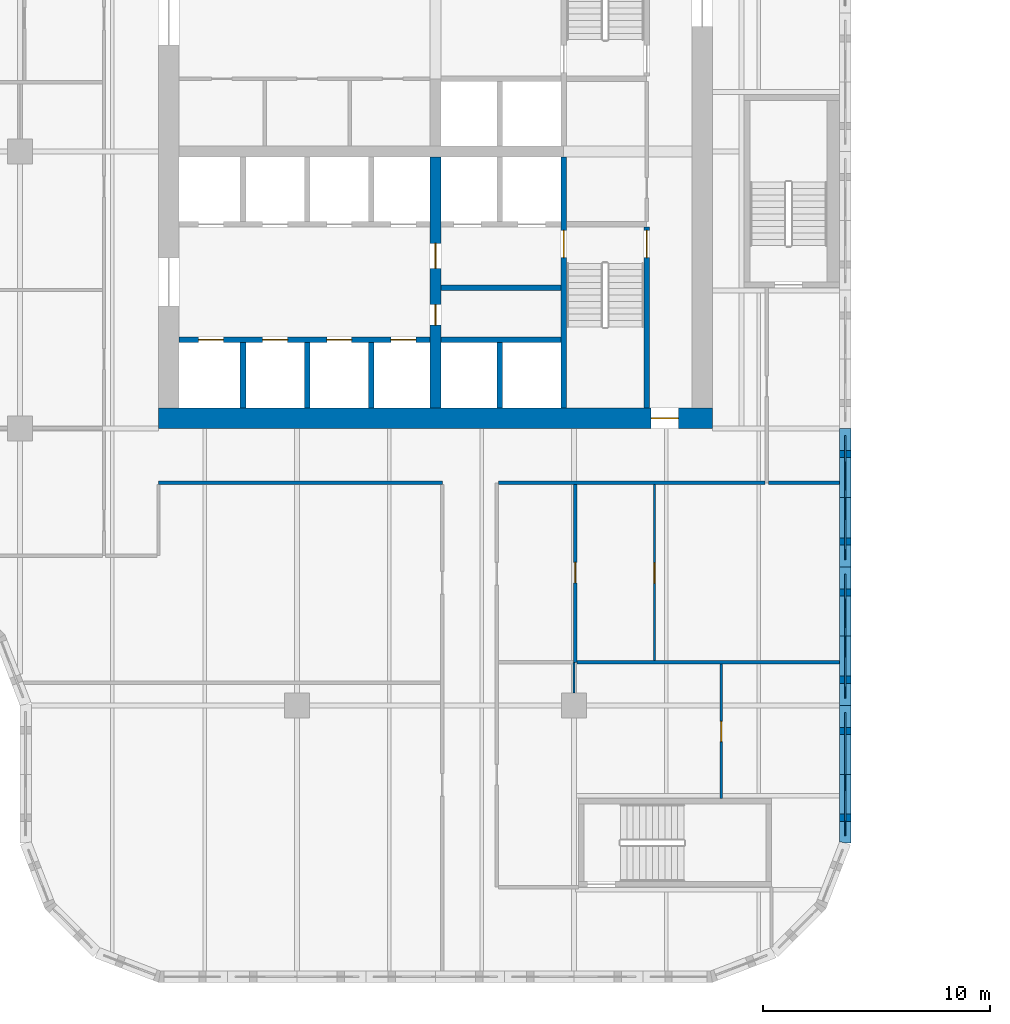
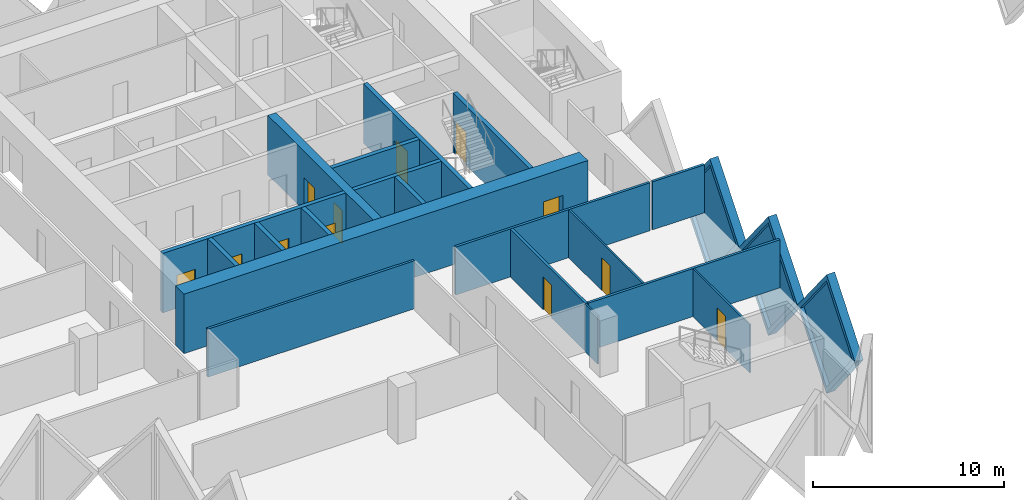
# One storey, part 6 of 18: 22 walls, 12 doors, 3 plates, 15 openings.
"""IFC4 building model written with IfcOpenShell, lengths in metres."""

from ifc_helpers import new_model, si_unit, direction, frame, frame_2d, origin, place, context, subcontext, project, spatial, polyline, rectangle, outline, extrude, faceted_brep, source, transform, mapped, material, layer, layer_set, type_object, element, fill, save


model = new_model("IFC4")

# Units and contexts
model_context = context("Model", 3, precision=1e-05, world=origin(), true_north=direction((0.0, 1.0)))
body_context = subcontext(model_context, "Body", "Model", "MODEL_VIEW")
ifc_project = project(units=[si_unit("LENGTHUNIT", "METRE"), si_unit("AREAUNIT", "SQUARE_METRE"), si_unit("VOLUMEUNIT", "CUBIC_METRE"), si_unit("PLANEANGLEUNIT", "RADIAN"), si_unit("MASSUNIT", "GRAM", prefix="KILO")], contexts=[model_context])

# Site, building, storey
site_placement = place(None, origin())
site = spatial("IfcSite", under=ifc_project, at=site_placement, CompositionType="ELEMENT")
building_placement = place(site_placement, origin())
building = spatial("IfcBuilding", under=site, at=building_placement, Name="Tessera Gate Towers", CompositionType="ELEMENT")
storey_placement = place(building_placement, frame((0.0, 0.0, 56.199951171875)))
storey = spatial("IfcBuildingStorey", under=building, at=storey_placement, Name="L13", CompositionType="ELEMENT", Elevation=56.199951171875)

# Wall, opening, door
ifc_material_1 = material(Name="Concrete C40/50", Category="concrete")
ifc_layer_1 = layer(ifc_material_1, 0.25)
ifc_layer_set_1 = layer_set([ifc_layer_1], Name="CORE ENCLOSURE WALL 250")
wall_type_1 = type_object("IfcWallType", Name="CORE ENCLOSURE WALL 250", PredefinedType="SOLIDWALL", material=ifc_layer_set_1)
wall_1_placement = place(storey_placement, frame((48.35009765625, 36.35009765625, 0.0), z_axis=(0.0, 0.0, 1.0), x_axis=(0.0, -1.0, 0.0)))
wall_1 = element("IfcWall", 1, at=wall_1_placement, inside=storey, type_object=wall_type_1, Name="L13 shaft and stair enclosure wall", PredefinedType="SOLIDWALL", context=body_context, shape_type="SweptSolid", body=[
    extrude(rectangle(XDim=11.050048828125, YDim=0.25, at=frame_2d((5.52490234375, 0.0))), origin(), (0.0, 0.0, 1.0), 3.800048828125),
])
shared_shape_1 = source(origin(), body_context, "Body", "SweptSolid", [
    extrude(rectangle(XDim=1.199951171875, YDim=2.10009765625, at=frame_2d((0.60009765625, 1.050048828125))), frame((0.0, 0.135009765625, 0.0), z_axis=(0.0, -1.0, 0.0), x_axis=(1.0, 0.0, 0.0)), (0.0, 0.0, 1.0), 0.27001953125),
])
opening_1_placement = place(wall_1_placement, frame((3.22509765625, 0.0, 0.0)))
opening_1 = element("IfcOpeningElement", 2, at=opening_1_placement, cuts=wall_1, Name="Opening SD-ST1-1", PredefinedType="OPENING", context=body_context, shape_type="MappedRepresentation", body=[
    mapped(shared_shape_1, transform((0.0, 0.0, 0.0), scale=1.0)),
])
ifc_material_2 = material(Name="Hollow steel fire door", Category="steel")
door_type_1 = type_object("IfcDoorType", Name="CORE DOOR SD 1200x2100", OperationType="NOTDEFINED", PredefinedType="DOOR", material=ifc_material_2)
shared_shape_2 = source(origin(), body_context, "Body", "SweptSolid", [
    extrude(rectangle(XDim=1.199951171875, YDim=2.10009765625, at=frame_2d((0.60009765625, 1.050048828125))), frame((0.0, 0.02490234375, 0.0), z_axis=(0.0, -1.0, 0.0), x_axis=(1.0, 0.0, 0.0)), (0.0, 0.0, 1.0), 0.050048828125),
])
door_1_placement = place(opening_1_placement, origin())
door_1 = element("IfcDoor", 3, at=door_1_placement, inside=storey, type_object=door_type_1, Name="Stair door", OperationType="SINGLE_SWING_LEFT", OverallHeight=2.10009765625, OverallWidth=1.199951171875, PredefinedType="DOOR", context=body_context, shape_type="MappedRepresentation", body=[
    mapped(shared_shape_2, transform((0.0, 0.0, 0.0), scale=1.0)),
])
fill(opening_1, door_1)

# Wall, openings, doors
wall_2_placement = place(storey_placement, frame((31.39990234375, 28.300048828125, 0.0), z_axis=(0.0, 0.0, 1.0), x_axis=(1.0, 0.0, 0.0)))
wall_2 = element("IfcWall", 4, at=wall_2_placement, inside=storey, type_object=wall_type_1, Name="L13 shaft and stair enclosure wall", PredefinedType="SOLIDWALL", context=body_context, shape_type="SweptSolid", body=[
    extrude(rectangle(XDim=11.050048828125, YDim=0.25, at=frame_2d((5.52490234375, 0.0))), origin(), (0.0, 0.0, 1.0), 3.800048828125),
])
shared_shape_3 = source(origin(), body_context, "Body", "SweptSolid", [
    extrude(rectangle(XDim=1.10009765625, YDim=2.10009765625, at=frame_2d((0.550048828125, 1.050048828125))), frame((0.0, 0.135009765625, 0.0), z_axis=(0.0, -1.0, 0.0), x_axis=(1.0, 0.0, 0.0)), (0.0, 0.0, 1.0), 0.27001953125),
])
opening_2_placement = place(wall_2_placement, frame((0.862548828125, 0.0, 0.0)))
opening_2 = element("IfcOpeningElement", 5, at=opening_2_placement, cuts=wall_2, Name="Opening LD-LR1", PredefinedType="OPENING", context=body_context, shape_type="MappedRepresentation", body=[
    mapped(shared_shape_3, transform((0.0, 0.0, 0.0), scale=1.0)),
])
opening_3_placement = place(wall_2_placement, frame((3.6875, 0.0, 0.0)))
opening_3 = element("IfcOpeningElement", 6, at=opening_3_placement, cuts=wall_2, Name="Opening LD-LR2", PredefinedType="OPENING", context=body_context, shape_type="MappedRepresentation", body=[
    mapped(shared_shape_3, transform((0.0, 0.0, 0.0), scale=1.0)),
])
opening_4_placement = place(wall_2_placement, frame((6.512451171875, 0.0, 0.0)))
opening_4 = element("IfcOpeningElement", 7, at=opening_4_placement, cuts=wall_2, Name="Opening LD-LR3", PredefinedType="OPENING", context=body_context, shape_type="MappedRepresentation", body=[
    mapped(shared_shape_3, transform((0.0, 0.0, 0.0), scale=1.0)),
])
opening_5_placement = place(wall_2_placement, frame((9.33740234375, 0.0, 0.0)))
opening_5 = element("IfcOpeningElement", 8, at=opening_5_placement, cuts=wall_2, Name="Opening LD-LR4", PredefinedType="OPENING", context=body_context, shape_type="MappedRepresentation", body=[
    mapped(shared_shape_3, transform((0.0, 0.0, 0.0), scale=1.0)),
])
ifc_material_3 = material(Name="Stainless steel", Category="steel")
door_type_2 = type_object("IfcDoorType", Name="CORE DOOR LD 1100x2100", OperationType="DOUBLE_DOOR_SLIDING", PredefinedType="DOOR", material=ifc_material_3)
shared_shape_4 = source(origin(), body_context, "Body", "SweptSolid", [
    extrude(rectangle(XDim=1.10009765625, YDim=2.10009765625, at=frame_2d((0.550048828125, 1.050048828125))), frame((0.0, 0.02490234375, 0.0), z_axis=(0.0, -1.0, 0.0), x_axis=(1.0, 0.0, 0.0)), (0.0, 0.0, 1.0), 0.050048828125),
])
door_2_placement = place(opening_2_placement, origin())
door_2 = element("IfcDoor", 9, at=door_2_placement, inside=storey, type_object=door_type_2, Name="Landing door LR1 L13", OperationType="DOUBLE_DOOR_SLIDING", OverallHeight=2.10009765625, OverallWidth=1.10009765625, PredefinedType="DOOR", context=body_context, shape_type="MappedRepresentation", body=[
    mapped(shared_shape_4, transform((0.0, 0.0, 0.0), scale=1.0)),
])
fill(opening_2, door_2)
door_3_placement = place(opening_3_placement, origin())
door_3 = element("IfcDoor", 10, at=door_3_placement, inside=storey, type_object=door_type_2, Name="Landing door LR2 L13", OperationType="DOUBLE_DOOR_SLIDING", OverallHeight=2.10009765625, OverallWidth=1.10009765625, PredefinedType="DOOR", context=body_context, shape_type="MappedRepresentation", body=[
    mapped(shared_shape_4, transform((0.0, 0.0, 0.0), scale=1.0)),
])
fill(opening_3, door_3)
door_4_placement = place(opening_4_placement, origin())
door_4 = element("IfcDoor", 11, at=door_4_placement, inside=storey, type_object=door_type_2, Name="Landing door LR3 L13", OperationType="DOUBLE_DOOR_SLIDING", OverallHeight=2.10009765625, OverallWidth=1.10009765625, PredefinedType="DOOR", context=body_context, shape_type="MappedRepresentation", body=[
    mapped(shared_shape_4, transform((0.0, 0.0, 0.0), scale=1.0)),
])
fill(opening_4, door_4)
door_5_placement = place(opening_5_placement, origin())
door_5 = element("IfcDoor", 12, at=door_5_placement, inside=storey, type_object=door_type_2, Name="Landing door LR4 L13", OperationType="DOUBLE_DOOR_SLIDING", OverallHeight=2.10009765625, OverallWidth=1.10009765625, PredefinedType="DOOR", context=body_context, shape_type="MappedRepresentation", body=[
    mapped(shared_shape_4, transform((0.0, 0.0, 0.0), scale=1.0)),
])
fill(opening_5, door_5)

# Wall
wall_3_placement = place(storey_placement, frame((42.949951171875, 28.300048828125, 0.0), z_axis=(0.0, 0.0, 1.0), x_axis=(1.0, 0.0, 0.0)))
element("IfcWall", 13, at=wall_3_placement, inside=storey, type_object=wall_type_1, Name="L13 shaft and stair enclosure wall", PredefinedType="SOLIDWALL", context=body_context, shape_type="SweptSolid", body=[
    extrude(rectangle(XDim=5.275146484375, YDim=0.25, at=frame_2d((2.6376953125, 0.0))), origin(), (0.0, 0.0, 1.0), 3.800048828125),
])

# Wall, opening, door
wall_4_placement = place(storey_placement, frame((52.0, 25.300048828125, 0.0), z_axis=(0.0, 0.0, 1.0), x_axis=(0.0, 1.0, 0.0)))
wall_4 = element("IfcWall", 14, at=wall_4_placement, inside=storey, type_object=wall_type_1, Name="L13 shaft and stair enclosure wall", PredefinedType="SOLIDWALL", context=body_context, shape_type="SweptSolid", body=[
    extrude(rectangle(XDim=7.974853515625, YDim=0.25, at=frame_2d((3.9873046875, 0.0))), origin(), (0.0, 0.0, 1.0), 3.800048828125),
])
opening_6_placement = place(wall_4_placement, frame((6.625, 0.0, 0.0)))
opening_6 = element("IfcOpeningElement", 15, at=opening_6_placement, cuts=wall_4, Name="Opening SD-ST1-2", PredefinedType="OPENING", context=body_context, shape_type="MappedRepresentation", body=[
    mapped(shared_shape_1, transform((0.0, 0.0, 0.0), scale=1.0)),
])
door_6_placement = place(opening_6_placement, origin())
door_6 = element("IfcDoor", 16, at=door_6_placement, inside=storey, type_object=door_type_1, Name="Stair door", OperationType="SINGLE_SWING_RIGHT", OverallHeight=2.10009765625, OverallWidth=1.199951171875, PredefinedType="DOOR", context=body_context, shape_type="MappedRepresentation", body=[
    mapped(shared_shape_2, transform((0.0, 0.0, 0.0), scale=1.0)),
])
fill(opening_6, door_6)

# Walls
wall_5_placement = place(storey_placement, frame((42.949951171875, 30.60009765625, 0.0), z_axis=(0.0, 0.0, 1.0), x_axis=(1.0, 0.0, 0.0)))
element("IfcWall", 17, at=wall_5_placement, inside=storey, type_object=wall_type_1, Name="L13 shaft and stair enclosure wall", PredefinedType="SOLIDWALL", context=body_context, shape_type="SweptSolid", body=[
    extrude(rectangle(XDim=5.275146484375, YDim=0.25, at=frame_2d((2.6376953125, 0.0))), origin(), (0.0, 0.0, 1.0), 3.800048828125),
])
for number, where, z_axis, x_axis, name in (
    (18, (34.22509765625, 25.300048828125, 0.0), (0.0, 0.0, 1.0), (0.0, 1.0, 0.0), "L13 shaft and stair enclosure wall"),
    (19, (37.050048828125, 25.300048828125, 0.0), (0.0, 0.0, 1.0), (0.0, 1.0, 0.0), "L13 shaft and stair enclosure wall"),
    (20, (39.875, 25.300048828125, 0.0), (0.0, 0.0, 1.0), (0.0, 1.0, 0.0), "L13 shaft and stair enclosure wall"),
    (21, (45.52490234375, 25.300048828125, 0.0), (0.0, 0.0, 1.0), (0.0, 1.0, 0.0), "L13 shaft and stair enclosure wall"),
):
    element("IfcWall", number, at=place(storey_placement, frame(where, z_axis=z_axis, x_axis=x_axis)), inside=storey, type_object=wall_type_1, Name=name, PredefinedType="SOLIDWALL", context=body_context, shape_type="SweptSolid", body=[
        extrude(rectangle(XDim=2.875, YDim=0.25, at=frame_2d((1.4375, 0.0))), origin(), (0.0, 0.0, 1.0), 3.800048828125),
    ])

# Wall, opening, door
ifc_material_4 = material(Name="Concrete C70/85", Category="concrete")
ifc_layer_2 = layer(ifc_material_4, 0.89990234375)
ifc_layer_set_2 = layer_set([ifc_layer_2], Name="CORE SHEAR WALL 900 C70/85")
wall_type_2 = type_object("IfcWallType", Name="CORE SHEAR WALL 900 C70/85", PredefinedType="SHEAR", material=ifc_layer_set_2)
wall_6_placement = place(storey_placement, frame((54.89990234375, 24.85009765625, 0.0), z_axis=(0.0, 0.0, 1.0), x_axis=(-1.0, 0.0, 0.0)))
wall_6 = element("IfcWall", 22, at=wall_6_placement, inside=storey, type_object=wall_type_2, Name="Core wall S L13", PredefinedType="SHEAR", context=body_context, shape_type="SweptSolid", body=[
    extrude(rectangle(XDim=24.39990234375, YDim=0.89990234375, at=frame_2d((12.199951171875, 0.0))), origin(), (0.0, 0.0, 1.0), 3.800048828125),
])
shared_shape_5 = source(origin(), body_context, "Body", "SweptSolid", [
    extrude(rectangle(XDim=1.199951171875, YDim=2.10009765625, at=frame_2d((0.60009765625, 1.050048828125))), frame((0.0, 0.4599609375, 0.0), z_axis=(0.0, -1.0, 0.0), x_axis=(1.0, 0.0, 0.0)), (0.0, 0.0, 1.0), 0.919921875),
])
opening_7_placement = place(wall_6_placement, frame((1.5, 0.0, 0.0)))
opening_7 = element("IfcOpeningElement", 23, at=opening_7_placement, cuts=wall_6, Name="Opening ED-T1-09-01", PredefinedType="OPENING", context=body_context, shape_type="MappedRepresentation", body=[
    mapped(shared_shape_5, transform((0.0, 0.0, 0.0), scale=1.0)),
])
ifc_material_5 = material(Name="Hollow steel fire door", Category="steel")
door_type_3 = type_object("IfcDoorType", Name="CORE DOOR ED 1200x2100", OperationType="NOTDEFINED", PredefinedType="DOOR", material=ifc_material_5)
door_7_placement = place(opening_7_placement, origin())
door_7 = element("IfcDoor", 24, at=door_7_placement, inside=storey, type_object=door_type_3, Name="Core exit door", OperationType="SINGLE_SWING_LEFT", OverallHeight=2.10009765625, OverallWidth=1.199951171875, PredefinedType="DOOR", context=body_context, shape_type="MappedRepresentation", body=[
    mapped(shared_shape_2, transform((0.0, 0.0, 0.0), scale=1.0)),
])
fill(opening_7, door_7)

# Wall, openings, doors
ifc_material_6 = material(Name="Concrete C70/85", Category="concrete")
ifc_layer_3 = layer(ifc_material_6, 0.5)
ifc_layer_set_3 = layer_set([ifc_layer_3], Name="CORE SPINE WALL 500 C70/85")
wall_type_3 = type_object("IfcWallType", Name="CORE SPINE WALL 500 C70/85", PredefinedType="SHEAR", material=ifc_layer_set_3)
wall_7_placement = place(storey_placement, frame((42.699951171875, 36.35009765625, 0.0), z_axis=(0.0, 0.0, 1.0), x_axis=(0.0, -1.0, 0.0)))
wall_7 = element("IfcWall", 25, at=wall_7_placement, inside=storey, type_object=wall_type_3, Name="Core wall spine L13", PredefinedType="SHEAR", context=body_context, shape_type="SweptSolid", body=[
    extrude(rectangle(XDim=11.050048828125, YDim=0.5, at=frame_2d((5.52490234375, 0.0))), origin(), (0.0, 0.0, 1.0), 3.800048828125),
])
shared_shape_6 = source(origin(), body_context, "Body", "SweptSolid", [
    extrude(rectangle(XDim=0.89990234375, YDim=2.10009765625, at=frame_2d((0.449951171875, 1.050048828125))), frame((0.0, 0.260009765625, 0.0), z_axis=(0.0, -1.0, 0.0), x_axis=(1.0, 0.0, 0.0)), (0.0, 0.0, 1.0), 0.52001953125),
])
opening_8_placement = place(wall_7_placement, frame((6.5, 0.0, 0.0)))
opening_8 = element("IfcOpeningElement", 26, at=opening_8_placement, cuts=wall_7, Name="Opening RD-T1-09-05", PredefinedType="OPENING", context=body_context, shape_type="MappedRepresentation", body=[
    mapped(shared_shape_6, transform((0.0, 0.0, 0.0), scale=1.0)),
])
shared_shape_7 = source(origin(), body_context, "Body", "SweptSolid", [
    extrude(rectangle(XDim=1.10009765625, YDim=2.10009765625, at=frame_2d((0.550048828125, 1.050048828125))), frame((0.0, 0.260009765625, 0.0), z_axis=(0.0, -1.0, 0.0), x_axis=(1.0, 0.0, 0.0)), (0.0, 0.0, 1.0), 0.52001953125),
])
opening_9_placement = place(wall_7_placement, frame((3.800048828125, 0.0, 0.0)))
opening_9 = element("IfcOpeningElement", 27, at=opening_9_placement, cuts=wall_7, Name="Opening FD-T1-09-06", PredefinedType="OPENING", context=body_context, shape_type="MappedRepresentation", body=[
    mapped(shared_shape_7, transform((0.0, 0.0, 0.0), scale=1.0)),
])
ifc_material_7 = material(Name="Hollow steel fire door", Category="steel")
door_type_4 = type_object("IfcDoorType", Name="CORE DOOR RD 900x2100", OperationType="NOTDEFINED", PredefinedType="DOOR", material=ifc_material_7)
shared_shape_8 = source(origin(), body_context, "Body", "SweptSolid", [
    extrude(rectangle(XDim=0.89990234375, YDim=2.10009765625, at=frame_2d((0.449951171875, 1.050048828125))), frame((0.0, 0.02490234375, 0.0), z_axis=(0.0, -1.0, 0.0), x_axis=(1.0, 0.0, 0.0)), (0.0, 0.0, 1.0), 0.050048828125),
])
door_8_placement = place(opening_8_placement, origin())
door_8 = element("IfcDoor", 28, at=door_8_placement, inside=storey, type_object=door_type_4, Name="Core room door", OperationType="SINGLE_SWING_RIGHT", OverallHeight=2.10009765625, OverallWidth=0.89990234375, PredefinedType="DOOR", context=body_context, shape_type="MappedRepresentation", body=[
    mapped(shared_shape_8, transform((0.0, 0.0, 0.0), scale=1.0)),
])
fill(opening_8, door_8)
ifc_material_8 = material(Name="Hollow steel fire door", Category="steel")
door_type_5 = type_object("IfcDoorType", Name="CORE DOOR FD 1100x2100", OperationType="NOTDEFINED", PredefinedType="DOOR", material=ifc_material_8)
door_9_placement = place(opening_9_placement, origin())
door_9 = element("IfcDoor", 29, at=door_9_placement, inside=storey, type_object=door_type_5, Name="Fire-fighting lobby door", OperationType="SINGLE_SWING_LEFT", OverallHeight=2.10009765625, OverallWidth=1.10009765625, PredefinedType="DOOR", context=body_context, shape_type="MappedRepresentation", body=[
    mapped(shared_shape_4, transform((0.0, 0.0, 0.0), scale=1.0)),
])
fill(opening_9, door_9)

# Walls
ifc_material_9 = material(Name="Gypsum board on steel studs, mineral wool", Category="steel")
ifc_layer_4 = layer(ifc_material_9, 0.14990234375)
ifc_layer_set_4 = layer_set([ifc_layer_4], Name="CORRIDOR WALL 150")
wall_type_4 = type_object("IfcWallType", Name="CORRIDOR WALL 150", PredefinedType="PARTITIONING", material=ifc_layer_set_4)
wall_8_placement = place(storey_placement, frame((30.5, 22.0, 0.0), z_axis=(0.0, 0.0, 1.0), x_axis=(1.0, 0.0, 0.0)))
element("IfcWall", 30, at=wall_8_placement, inside=storey, type_object=wall_type_4, Name="T1-L13-PW-017", PredefinedType="PARTITIONING", context=body_context, shape_type="SweptSolid", body=[
    extrude(rectangle(XDim=12.5, YDim=0.14990234375, at=frame_2d((6.25, 0.0))), origin(), (0.0, 0.0, 1.0), 3.067138671875),
])
wall_9_placement = place(storey_placement, frame((45.47607421875, 22.0, 0.0), z_axis=(0.0, 0.0, 1.0), x_axis=(1.0, 0.0, 0.0)))
element("IfcWall", 31, at=wall_9_placement, inside=storey, type_object=wall_type_4, Name="T1-L13-PW-018", PredefinedType="PARTITIONING", context=body_context, shape_type="SweptSolid", body=[
    extrude(rectangle(XDim=11.748046875, YDim=0.14990234375, at=frame_2d((5.8740234375, 0.0))), origin(), (0.0, 0.0, 1.0), 3.067138671875),
])

# Wall, opening, door
ifc_material_10 = material(Name="Glass", Category="glass")
ifc_layer_5 = layer(ifc_material_10, 0.10009765625)
ifc_layer_set_5 = layer_set([ifc_layer_5], Name="GLAZED PARTITION 100")
wall_type_5 = type_object("IfcWallType", Name="GLAZED PARTITION 100", PredefinedType="PARTITIONING", material=ifc_layer_set_5)
wall_10_placement = place(storey_placement, frame((55.2900390625, 14.02392578125, 0.0), z_axis=(0.0, 0.0, 1.0), x_axis=(0.0, -1.0, 0.0)))
wall_10 = element("IfcWall", 32, at=wall_10_placement, inside=storey, type_object=wall_type_5, Name="T1-L13-PW-005", PredefinedType="PARTITIONING", context=body_context, shape_type="SweptSolid", body=[
    extrude(rectangle(XDim=5.923828125, YDim=0.10009765625, at=frame_2d((2.9619140625, 0.0))), origin(), (0.0, 0.0, 1.0), 3.067138671875),
])
shared_shape_9 = source(origin(), body_context, "Body", "SweptSolid", [
    extrude(rectangle(XDim=0.89990234375, YDim=2.10009765625, at=frame_2d((0.449951171875, 1.050048828125))), frame((0.0, 0.06005859375, 0.0), z_axis=(0.0, -1.0, 0.0), x_axis=(1.0, 0.0, 0.0)), (0.0, 0.0, 1.0), 0.1201171875),
])
opening_10_placement = place(wall_10_placement, frame((2.52392578125, 0.0, 0.0)))
opening_10 = element("IfcOpeningElement", 33, at=opening_10_placement, cuts=wall_10, Name="Opening D690-A05-02", PredefinedType="OPENING", context=body_context, shape_type="MappedRepresentation", body=[
    mapped(shared_shape_9, transform((0.0, 0.0, 0.0), scale=1.0)),
])
ifc_material_11 = material(Name="Glass in aluminium frame", Category="aluminium")
door_type_6 = type_object("IfcDoorType", Name="GLAZED DOOR 900 NOT RATED", OperationType="NOTDEFINED", PredefinedType="DOOR", material=ifc_material_11)
door_10_placement = place(opening_10_placement, origin())
door_10 = element("IfcDoor", 34, at=door_10_placement, inside=storey, type_object=door_type_6, Name="T1-L13-PD-013", OperationType="SINGLE_SWING_RIGHT", OverallHeight=2.10009765625, OverallWidth=0.89990234375, PredefinedType="DOOR", context=body_context, shape_type="MappedRepresentation", body=[
    mapped(shared_shape_8, transform((0.0, 0.0, 0.0), scale=1.0)),
])
fill(opening_10, door_10)

# Wall
ifc_material_12 = material(Name="Gypsum board on steel studs", Category="steel")
ifc_layer_6 = layer(ifc_material_12, 0.10009765625)
ifc_layer_set_6 = layer_set([ifc_layer_6], Name="PARTITION 100")
wall_type_6 = type_object("IfcWallType", Name="PARTITION 100", PredefinedType="PARTITIONING", material=ifc_layer_set_6)
wall_11_placement = place(storey_placement, frame((48.800048828125, 12.75, 0.0), z_axis=(0.0, 0.0, 1.0), x_axis=(0.0, 1.0, 0.0)))
element("IfcWall", 35, at=wall_11_placement, inside=storey, type_object=wall_type_6, Name="T1-L13-PW-006", PredefinedType="PARTITIONING", context=body_context, shape_type="SweptSolid", body=[
    extrude(rectangle(XDim=1.35009765625, YDim=0.10009765625, at=frame_2d((0.675048828125, 0.0))), origin(), (0.0, 0.0, 1.0), 3.067138671875),
])

# Wall, opening, door
wall_12_placement = place(storey_placement, frame((52.35009765625, 21.924072265625, 0.0), z_axis=(0.0, 0.0, 1.0), x_axis=(0.0, -1.0, 0.0)))
wall_12 = element("IfcWall", 36, at=wall_12_placement, inside=storey, type_object=wall_type_6, Name="T1-L13-PW-011", PredefinedType="PARTITIONING", context=body_context, shape_type="SweptSolid", body=[
    extrude(rectangle(XDim=7.748046875, YDim=0.10009765625, at=frame_2d((3.8740234375, 0.0))), origin(), (0.0, 0.0, 1.0), 3.067138671875),
])
opening_11_placement = place(wall_12_placement, frame((3.447998046875, 0.0, 0.0)))
opening_11 = element("IfcOpeningElement", 37, at=opening_11_placement, cuts=wall_12, Name="Opening D190-A05-11", PredefinedType="OPENING", context=body_context, shape_type="MappedRepresentation", body=[
    mapped(shared_shape_9, transform((0.0, 0.0, 0.0), scale=1.0)),
])
ifc_material_13 = material(Name="Timber door leaf in steel frame", Category="steel")
door_type_7 = type_object("IfcDoorType", Name="INTERNAL DOOR 900 NOT RATED", OperationType="NOTDEFINED", PredefinedType="DOOR", material=ifc_material_13)
door_11_placement = place(opening_11_placement, origin())
door_11 = element("IfcDoor", 38, at=door_11_placement, inside=storey, type_object=door_type_7, Name="T1-L13-PD-017", OperationType="SINGLE_SWING_RIGHT", OverallHeight=2.10009765625, OverallWidth=0.89990234375, PredefinedType="DOOR", context=body_context, shape_type="MappedRepresentation", body=[
    mapped(shared_shape_8, transform((0.0, 0.0, 0.0), scale=1.0)),
])
fill(opening_11, door_11)

ifc_material_14 = material(Name="Gypsum board on steel studs, mineral wool", Category="steel")
ifc_layer_7 = layer(ifc_material_14, 0.14990234375)
ifc_layer_set_7 = layer_set([ifc_layer_7], Name="TENANCY WALL 150")
wall_type_7 = type_object("IfcWallType", Name="TENANCY WALL 150", PredefinedType="PARTITIONING", material=ifc_layer_set_7)
wall_13_placement = place(storey_placement, frame((48.85009765625, 21.924072265625, 0.0), z_axis=(0.0, 0.0, 1.0), x_axis=(0.0, -1.0, 0.0)))
wall_13 = element("IfcWall", 39, at=wall_13_placement, inside=storey, type_object=wall_type_7, Name="T1-L13-PW-009", PredefinedType="PARTITIONING", context=body_context, shape_type="SweptSolid", body=[
    extrude(rectangle(XDim=7.823974609375, YDim=0.14990234375, at=frame_2d((3.912109375, 0.0))), origin(), (0.0, 0.0, 1.0), 3.067138671875),
])
shared_shape_10 = source(origin(), body_context, "Body", "SweptSolid", [
    extrude(rectangle(XDim=0.89990234375, YDim=2.10009765625, at=frame_2d((0.449951171875, 1.050048828125))), frame((0.0, 0.0849609375, 0.0), z_axis=(0.0, -1.0, 0.0), x_axis=(1.0, 0.0, 0.0)), (0.0, 0.0, 1.0), 0.169921875),
])
opening_12_placement = place(wall_13_placement, frame((3.424072265625, 0.0, 0.0)))
opening_12 = element("IfcOpeningElement", 40, at=opening_12_placement, cuts=wall_13, Name="Opening D190-A05-12", PredefinedType="OPENING", context=body_context, shape_type="MappedRepresentation", body=[
    mapped(shared_shape_10, transform((0.0, 0.0, 0.0), scale=1.0)),
])
door_12_placement = place(opening_12_placement, origin())
door_12 = element("IfcDoor", 41, at=door_12_placement, inside=storey, type_object=door_type_7, Name="T1-L13-PD-018", OperationType="SINGLE_SWING_RIGHT", OverallHeight=2.10009765625, OverallWidth=0.89990234375, PredefinedType="DOOR", context=body_context, shape_type="MappedRepresentation", body=[
    mapped(shared_shape_8, transform((0.0, 0.0, 0.0), scale=1.0)),
])
fill(opening_12, door_12)

# Walls
wall_14_placement = place(storey_placement, frame((48.926025390625, 14.10009765625, 0.0), z_axis=(0.0, 0.0, 1.0), x_axis=(1.0, 0.0, 0.0)))
element("IfcWall", 42, at=wall_14_placement, inside=storey, type_object=wall_type_7, Name="T1-L13-PW-010", PredefinedType="PARTITIONING", context=body_context, shape_type="SweptSolid", body=[
    extrude(rectangle(XDim=11.573974609375, YDim=0.14990234375, at=frame_2d((5.787109375, 0.0))), origin(), (0.0, 0.0, 1.0), 3.067138671875),
])
wall_15_placement = place(storey_placement, frame((57.3759765625, 22.0, 0.0), z_axis=(0.0, 0.0, 1.0), x_axis=(1.0, 0.0, 0.0)))
element("IfcWall", 43, at=wall_15_placement, inside=storey, type_object=wall_type_7, Name="T1-L13-PW-020", PredefinedType="PARTITIONING", context=body_context, shape_type="SweptSolid", body=[
    extrude(rectangle(XDim=3.1240234375, YDim=0.14990234375, at=frame_2d((1.56201171875, 0.0))), origin(), (0.0, 0.0, 1.0), 3.067138671875),
])

# Wall, opening, plate
ifc_material_15 = material(Name="Precast concrete C60/75 white", Category="concrete")
ifc_layer_8 = layer(ifc_material_15, 0.5)
ifc_layer_set_8 = layer_set([ifc_layer_8], Name="TS1 tessera")
wall_type_8 = type_object("IfcWallType", Name="TS1 tessera", PredefinedType="SOLIDWALL", material=ifc_layer_set_8)
shared_shape_11 = source(origin(), body_context, "Body", "Brep", [
    faceted_brep([(3.00341796875, -0.25, 0.0), (6.053466796875, -0.25, 3.800048828125), (3.00341796875, -0.25, 7.60009765625), (0.0, -0.25, 3.800048828125), (0.046630859375, 0.25, 3.85888671875), (3.00341796875, 0.25, 7.60009765625), (6.053466796875, 0.25, 3.800048828125), (3.00341796875, 0.25, 0.0), (0.046630859375, 0.25, 3.7412109375), (0.0, 0.0, 3.800048828125)], [[[0, 1, 2, 3]], [[4, 5, 6, 7, 8]], [[7, 6, 1, 0]], [[6, 5, 2, 1]], [[5, 4, 9, 3, 2]], [[8, 7, 0, 3, 9]], [[8, 9, 4]]]),
])
wall_16_placement = place(storey_placement, frame((60.75, 6.146484375, -3.800048828125), z_axis=(0.0, 0.0, 1.0), x_axis=(0.0, 1.0, 0.0)))
wall_16 = element("IfcWall", 44, at=wall_16_placement, inside=storey, type_object=wall_type_8, Name="Precast tessera T1 TS1-0187", PredefinedType="SOLIDWALL", context=body_context, shape_type="MappedRepresentation", body=[
    mapped(shared_shape_11, transform((0.0, 0.0, 0.0), scale=1.0)),
])
shared_shape_12 = source(origin(), body_context, "Body", "SweptSolid", [
    extrude(outline(polyline([(3.0048828125, 0.4013671875), (5.73291015625, 3.800048828125), (3.0048828125, 7.19873046875), (0.318603515625, 3.800048828125), (3.0048828125, 0.4013671875)])), frame((0.0, 0.260009765625, 0.0), z_axis=(0.0, -1.0, 0.0), x_axis=(1.0, 0.0, 0.0)), (0.0, 0.0, 1.0), 0.52001953125),
])
opening_13_placement = place(wall_16_placement, origin())
opening_13 = element("IfcOpeningElement", 45, at=opening_13_placement, cuts=wall_16, Name="Opening T1-PL2-0385", PredefinedType="OPENING", context=body_context, shape_type="MappedRepresentation", body=[
    mapped(shared_shape_12, transform((0.0, 0.0, 0.0), scale=1.0)),
])
ifc_material_16 = material(Name="Low-e laminated glass", Category="glass")
ifc_layer_9 = layer(ifc_material_16, 0.06005859375)
ifc_layer_set_9 = layer_set([ifc_layer_9], Name="PL2 rhombic pane")
plate_type = type_object("IfcPlateType", Name="PL2 rhombic pane", PredefinedType="SHEET", material=ifc_layer_set_9)
shared_shape_13 = source(origin(), body_context, "Body", "SweptSolid", [
    extrude(outline(polyline([(3.0048828125, 0.4013671875), (5.73291015625, 3.800048828125), (3.0048828125, 7.19873046875), (0.318603515625, 3.800048828125), (3.0048828125, 0.4013671875)])), frame((0.0, 0.030029296875, 0.0), z_axis=(0.0, -1.0, 0.0), x_axis=(1.0, 0.0, 0.0)), (0.0, 0.0, 1.0), 0.06005859375),
])
plate_1_placement = place(opening_13_placement, origin())
plate_1 = element("IfcPlate", 46, at=plate_1_placement, inside=storey, type_object=plate_type, Name="Glass pane T1 PL2-0385", PredefinedType="SHEET", context=body_context, shape_type="MappedRepresentation", body=[
    mapped(shared_shape_13, transform((0.0, 0.0, 0.0), scale=1.0)),
])
fill(opening_13, plate_1)

shared_shape_14 = source(origin(), body_context, "Body", "Brep", [
    faceted_brep([(3.050048828125, -0.25, 0.0), (6.099853515625, -0.25, 3.7998046875), (6.099853515625, -0.25, 3.80029296875), (3.050048828125, -0.25, 7.60009765625), (0.0, -0.25, 3.800048828125), (0.0, 0.25, 3.800048828125), (3.050048828125, 0.25, 7.60009765625), (6.099853515625, 0.25, 3.80029296875), (6.099853515625, 0.25, 3.7998046875), (3.050048828125, 0.25, 0.0)], [[[0, 1, 2, 3, 4]], [[5, 6, 7, 8, 9]], [[9, 8, 1, 0]], [[7, 6, 3, 2]], [[6, 5, 4, 3]], [[5, 9, 0, 4]], [[1, 8, 7, 2]]]),
])
wall_17_placement = place(storey_placement, frame((60.75, 18.300048828125, -3.800048828125), z_axis=(0.0, 0.0, 1.0), x_axis=(0.0, 1.0, 0.0)))
wall_17 = element("IfcWall", 47, at=wall_17_placement, inside=storey, type_object=wall_type_8, Name="Precast tessera T1 TS1-0189", PredefinedType="SOLIDWALL", context=body_context, shape_type="MappedRepresentation", body=[
    mapped(shared_shape_14, transform((0.0, 0.0, 0.0), scale=1.0)),
])
shared_shape_15 = source(origin(), body_context, "Body", "SweptSolid", [
    extrude(outline(polyline([(3.050048828125, 0.3994140625), (5.779541015625, 3.800048828125), (3.050048828125, 7.20068359375), (0.320556640625, 3.800048828125), (3.050048828125, 0.3994140625)])), frame((0.0, 0.260009765625, 0.0), z_axis=(0.0, -1.0, 0.0), x_axis=(1.0, 0.0, 0.0)), (0.0, 0.0, 1.0), 0.52001953125),
])
opening_14_placement = place(wall_17_placement, origin())
opening_14 = element("IfcOpeningElement", 48, at=opening_14_placement, cuts=wall_17, Name="Opening T1-PL2-0387", PredefinedType="OPENING", context=body_context, shape_type="MappedRepresentation", body=[
    mapped(shared_shape_15, transform((0.0, 0.0, 0.0), scale=1.0)),
])
shared_shape_16 = source(origin(), body_context, "Body", "SweptSolid", [
    extrude(outline(polyline([(3.050048828125, 0.3994140625), (5.779541015625, 3.800048828125), (3.050048828125, 7.20068359375), (0.320556640625, 3.800048828125), (3.050048828125, 0.3994140625)])), frame((0.0, 0.030029296875, 0.0), z_axis=(0.0, -1.0, 0.0), x_axis=(1.0, 0.0, 0.0)), (0.0, 0.0, 1.0), 0.06005859375),
])
plate_2_placement = place(opening_14_placement, origin())
plate_2 = element("IfcPlate", 49, at=plate_2_placement, inside=storey, type_object=plate_type, Name="Glass pane T1 PL2-0387", PredefinedType="SHEET", context=body_context, shape_type="MappedRepresentation", body=[
    mapped(shared_shape_16, transform((0.0, 0.0, 0.0), scale=1.0)),
])
fill(opening_14, plate_2)

shared_shape_17 = source(origin(), body_context, "Body", "SweptSolid", [
    extrude(outline(polyline([(3.050048828125, 0.0), (6.10009765625, 3.800048828125), (3.050048828125, 7.60009765625), (0.0, 3.800048828125), (3.050048828125, 0.0)])), frame((0.0, 0.25, 0.0), z_axis=(0.0, -1.0, 0.0), x_axis=(1.0, 0.0, 0.0)), (0.0, 0.0, 1.0), 0.5),
])
wall_18_placement = place(storey_placement, frame((60.75, 12.199951171875, -3.800048828125), z_axis=(0.0, 0.0, 1.0), x_axis=(0.0, 1.0, 0.0)))
wall_18 = element("IfcWall", 50, at=wall_18_placement, inside=storey, type_object=wall_type_8, Name="Precast tessera T1 TS1-0188", PredefinedType="SOLIDWALL", context=body_context, shape_type="MappedRepresentation", body=[
    mapped(shared_shape_17, transform((0.0, 0.0, 0.0), scale=1.0)),
])
opening_15_placement = place(wall_18_placement, origin())
opening_15 = element("IfcOpeningElement", 51, at=opening_15_placement, cuts=wall_18, Name="Opening T1-PL2-0386", PredefinedType="OPENING", context=body_context, shape_type="MappedRepresentation", body=[
    mapped(shared_shape_15, transform((0.0, 0.0, 0.0), scale=1.0)),
])
plate_3_placement = place(opening_15_placement, origin())
plate_3 = element("IfcPlate", 52, at=plate_3_placement, inside=storey, type_object=plate_type, Name="Glass pane T1 PL2-0386", PredefinedType="SHEET", context=body_context, shape_type="MappedRepresentation", body=[
    mapped(shared_shape_16, transform((0.0, 0.0, 0.0), scale=1.0)),
])
fill(opening_15, plate_3)

save(model, "model.ifc")
